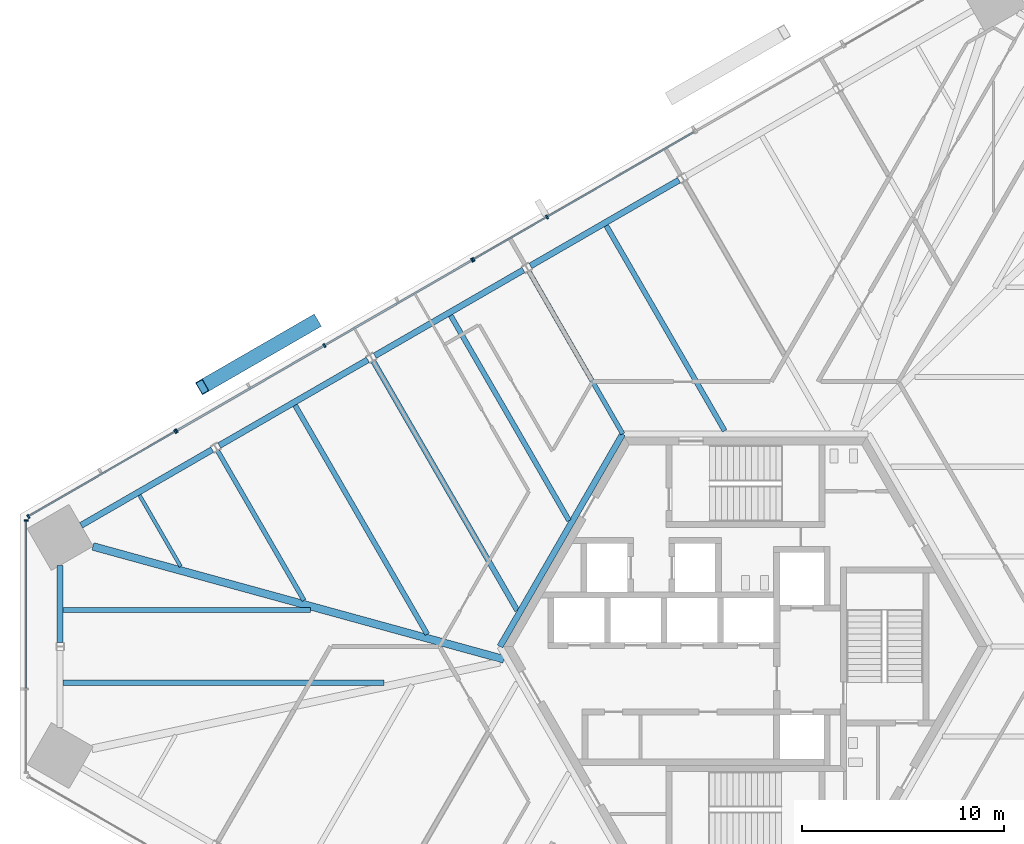
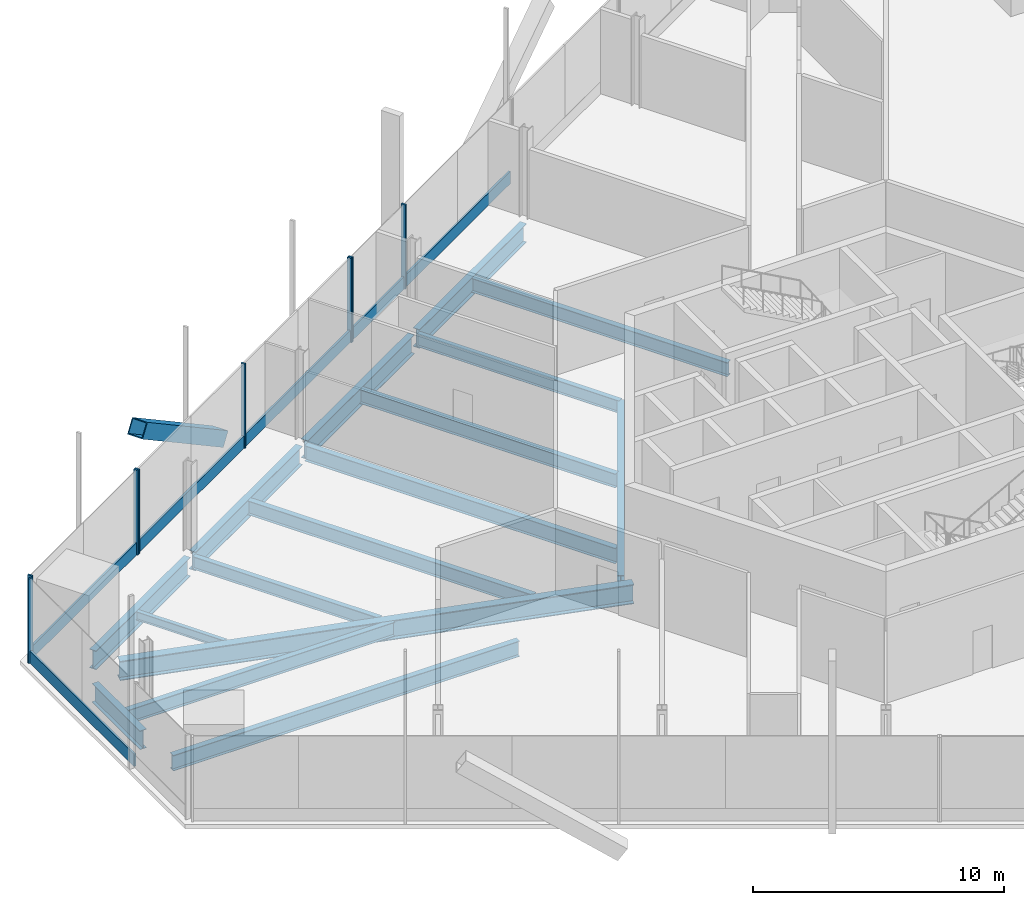
# One storey, part 6 of 19: 16 beams, 15 members, 4 elements without a shape of their own.
"""IFC4 building model written with IfcOpenShell, lengths in metres."""

import ifcopenshell
import ifcopenshell.guid

model = None  # the IFC model being written
_history = None  # IfcOwnerHistory: only IFC2X3 demands one
_inside = {}  # id of a spatial element -> (the spatial element, [elements in it])
_under = {}  # id of a project, library or spatial element -> (it, [spatial elements below it])
_declared = {}  # id of a project -> (the project, [libraries it declares])
_typed = {}  # id of a type object -> (the type object, [elements of that type])
_made_of = {}  # id of a material, layer set ... -> (it, [elements and type objects made of it])


def new_model(schema):
    """Start an empty IFC model of exactly this schema.

    Asked for "IFC4X3", IfcOpenShell would pick the latest addendum, in which some entities
    have other attributes; the version numbers below select the first issue.
    IFC2X3 requires an IfcOwnerHistory on every rooted entity: one is made here for all.
    """
    global model, _history
    if schema == "IFC4X3":
        model = ifcopenshell.file(schema_version=(4, 3, 0, 0))
    else:
        model = ifcopenshell.file(schema=schema)
    _inside.clear()
    _under.clear()
    _declared.clear()
    _typed.clear()
    _made_of.clear()
    _history = None
    if model.schema == "IFC2X3":
        org = make("IfcOrganization", Name="unknown")
        user = make(
            "IfcPersonAndOrganization",
            ThePerson=make("IfcPerson", FamilyName="unknown"),
            TheOrganization=org,
        )
        app = make(
            "IfcApplication",
            ApplicationDeveloper=org,
            Version="unknown",
            ApplicationFullName="unknown",
            ApplicationIdentifier="unknown",
        )
        _history = make(
            "IfcOwnerHistory",
            OwningUser=user,
            OwningApplication=app,
            ChangeAction="ADDED",
            CreationDate=0,
        )
    return model


def make(cls, **values):
    """One entity of the class cls with the attributes given. An attribute that is None is left unset."""
    return model.create_entity(
        cls, **{name: value for name, value in values.items() if value is not None}
    )


def rooted(cls, **values):
    """An entity with a GlobalId (a new one), such as an element, a storey or a relation."""
    return make(cls, GlobalId=ifcopenshell.guid.new(), OwnerHistory=_history, **values)


def si_unit(unit_type, name, prefix=None):
    """IfcSIUnit, for example si_unit("LENGTHUNIT", "METRE", prefix="MILLI")."""
    return make("IfcSIUnit", UnitType=unit_type, Prefix=prefix, Name=name)


def assignment(units):
    """IfcUnitAssignment: the units of a project."""
    return None if units is None else make("IfcUnitAssignment", Units=units)


def point(xyz):
    """IfcCartesianPoint."""
    return None if xyz is None else make("IfcCartesianPoint", Coordinates=xyz)


def direction(xyz):
    """IfcDirection."""
    return None if xyz is None else make("IfcDirection", DirectionRatios=xyz)


def frame(location, z_axis=None, x_axis=None):
    """IfcAxis2Placement3D, a coordinate frame: its origin and axes. An axis left out is left unset."""
    return make(
        "IfcAxis2Placement3D",
        Location=point(location),
        Axis=direction(z_axis),
        RefDirection=direction(x_axis),
    )


def frame_2d(location, x_axis=None):
    """IfcAxis2Placement2D, a coordinate frame in the plane: its origin and x axis."""
    return make(
        "IfcAxis2Placement2D", Location=point(location), RefDirection=direction(x_axis)
    )


def origin():
    """The frame at (0, 0, 0) with its axes left unset."""
    return frame((0.0, 0.0, 0.0))


def origin_2d():
    """The frame at (0, 0) in the plane with its x axis left unset."""
    return frame_2d((0.0, 0.0))


def place(relative_to, where):
    """IfcLocalPlacement: puts the frame where relative to a parent placement (None: the world)."""
    return make(
        "IfcLocalPlacement", PlacementRelTo=relative_to, RelativePlacement=where
    )


def context(
    kind, dimensions, precision=None, world=None, true_north=None, identifier=None
):
    """IfcGeometricRepresentationContext, for example the 3D "Model" context."""
    return make(
        "IfcGeometricRepresentationContext",
        ContextIdentifier=identifier,
        ContextType=kind,
        CoordinateSpaceDimension=dimensions,
        Precision=precision,
        WorldCoordinateSystem=world,
        TrueNorth=true_north,
    )


def subcontext(parent, identifier, kind, view, scale=None):
    """IfcGeometricRepresentationSubContext, for example "Body" below "Model"."""
    return make(
        "IfcGeometricRepresentationSubContext",
        ContextIdentifier=identifier,
        ContextType=kind,
        ParentContext=parent,
        TargetScale=scale,
        TargetView=view,
    )


def project(units=None, contexts=None):
    """IfcProject with its units and contexts."""
    return rooted(
        "IfcProject",
        Name="project",
        RepresentationContexts=contexts,
        UnitsInContext=assignment(units),
    )


def spatial(cls, under=None, at=None, **own):
    """A site, building, storey or space (cls), placed at a placement, below another one or the project."""
    s = rooted(cls, ObjectPlacement=at, **own)
    if under is not None:
        _under.setdefault(under.id(), (under, []))[1].append(s)
    return s


def profile(cls, at=None, kind="AREA", **sizes):
    """A parametric profile (cls). Its sizes go by their IFC names, for example OverallWidth=200.0."""
    return make(cls, ProfileType=kind, Position=at, **sizes)


def rectangle(**sizes):
    """IfcRectangleProfileDef."""
    return profile("IfcRectangleProfileDef", **sizes)


def hollow_rectangle(**sizes):
    """IfcRectangleHollowProfileDef."""
    return profile("IfcRectangleHollowProfileDef", **sizes)


def i_section(**sizes):
    """IfcIShapeProfileDef."""
    return profile("IfcIShapeProfileDef", **sizes)


def extrude(swept, where, along, depth):
    """IfcExtrudedAreaSolid: the profile swept, set in the frame where, extruded along a direction by depth."""
    return make(
        "IfcExtrudedAreaSolid",
        SweptArea=swept,
        Position=where,
        ExtrudedDirection=direction(along),
        Depth=depth,
    )


def shape(context_of_items, identifier, shape_type, items):
    """IfcShapeRepresentation: the items that make up one representation, for example the "Body"."""
    return make(
        "IfcShapeRepresentation",
        ContextOfItems=context_of_items,
        RepresentationIdentifier=identifier,
        RepresentationType=shape_type,
        Items=items,
    )


def source(mapping_origin, context_of_items, identifier, shape_type, items):
    """IfcRepresentationMap: a shape defined once, which mapped items show again and again."""
    return make(
        "IfcRepresentationMap",
        MappingOrigin=mapping_origin,
        MappedRepresentation=shape(context_of_items, identifier, shape_type, items),
    )


def transform(
    local_origin,
    x_axis=None,
    y_axis=None,
    z_axis=None,
    scale=None,
    scale2=None,
    scale3=None,
    uniform=True,
):
    """IfcCartesianTransformationOperator3D, or its non-uniform kind. x_axis, y_axis, z_axis: its Axis1, 2, 3."""
    if uniform:
        return make(
            "IfcCartesianTransformationOperator3D",
            Axis1=direction(x_axis),
            Axis2=direction(y_axis),
            LocalOrigin=point(local_origin),
            Scale=scale,
            Axis3=direction(z_axis),
        )
    return make(
        "IfcCartesianTransformationOperator3DnonUniform",
        Axis1=direction(x_axis),
        Axis2=direction(y_axis),
        LocalOrigin=point(local_origin),
        Scale=scale,
        Axis3=direction(z_axis),
        Scale2=scale2,
        Scale3=scale3,
    )


def mapped(mapping_source, mapping_target):
    """IfcMappedItem: shows the shape of a source again, moved by a transform."""
    return make(
        "IfcMappedItem", MappingSource=mapping_source, MappingTarget=mapping_target
    )


def material(Name=None, Category=None):
    """IfcMaterial."""
    return make("IfcMaterial", Name=Name, Category=Category)


def material_profile(
    of_material, cross_section, Name=None, Category=None, Priority=None
):
    """IfcMaterialProfile: a cross section and its material."""
    return make(
        "IfcMaterialProfile",
        Name=Name,
        Material=of_material,
        Profile=cross_section,
        Priority=Priority,
        Category=Category,
    )


def profile_set(profiles, Name=None, composite=None):
    """IfcMaterialProfileSet."""
    return make(
        "IfcMaterialProfileSet",
        Name=Name,
        MaterialProfiles=profiles,
        CompositeProfile=composite,
    )


def made_of(thing, what):
    """Note that an element or type object is made of a material, layer set ...; save() writes the relation."""
    if what is not None:
        _made_of.setdefault(what.id(), (what, []))[1].append(thing)
    return thing


def type_object(cls, material=None, **own):
    """A type object (cls), such as IfcWallType, which elements share."""
    return made_of(rooted(cls, **own), material)


def element(
    cls,
    number,
    at=None,
    inside=None,
    cuts=None,
    type_object=None,
    material=None,
    context=None,
    identifier="Body",
    shape_type=None,
    held_by="IfcProductDefinitionShape",
    body=None,
    shapes=None,
    **own,
):
    """One element of the class cls, such as IfcWall. Its Tag is "e" and its number.

    at: its placement. inside: the storey or other place that contains it. cuts: it is an
    opening in that element (IfcRelVoidsElement). A single representation is given by context,
    identifier, shape_type and body (its items); several are given by shapes. held_by: the class
    of the entity that holds the representations. save() writes the other relations.
    """
    e = rooted(cls, Tag="e%d" % number, ObjectPlacement=at, **own)
    if body is not None:
        shapes = [shape(context, identifier, shape_type, body)]
    if shapes is not None:
        e.Representation = make(held_by, Representations=shapes)
    if inside is not None:
        _inside.setdefault(inside.id(), (inside, []))[1].append(e)
    if cuts is not None:
        rooted(
            "IfcRelVoidsElement", RelatingBuildingElement=cuts, RelatedOpeningElement=e
        )
    if type_object is not None:
        _typed.setdefault(type_object.id(), (type_object, []))[1].append(e)
    return made_of(e, material)


def aggregate(whole, parts):
    """IfcRelAggregates: a whole, such as a stair, and the parts it consists of."""
    return rooted("IfcRelAggregates", RelatingObject=whole, RelatedObjects=parts)


def save(model, path):
    """Write the relations noted so far, then the file.

    IfcRelAggregates (storeys below a building ...), IfcRelContainedInSpatialStructure (elements
    in a storey), IfcRelDefinesByType, IfcRelAssociatesMaterial and IfcRelDeclares: one each for
    every whole, place, type object, material and project.
    """
    for whole, parts in _under.values():
        aggregate(whole, parts)
    for where, things in _inside.values():
        rooted(
            "IfcRelContainedInSpatialStructure",
            RelatedElements=things,
            RelatingStructure=where,
        )
    for kind, things in _typed.values():
        rooted("IfcRelDefinesByType", RelatedObjects=things, RelatingType=kind)
    for what, things in _made_of.values():
        rooted("IfcRelAssociatesMaterial", RelatedObjects=things, RelatingMaterial=what)
    for by, libraries in _declared.values():
        rooted("IfcRelDeclares", RelatingContext=by, RelatedDefinitions=libraries)
    model.write(path)


model = new_model("IFC4")

# Units and contexts
model_context = context("Model", 3, precision=1e-05, world=origin(), true_north=direction((0.0, 1.0)))
body_context = subcontext(model_context, "Body", "Model", "MODEL_VIEW")
ifc_project = project(units=[si_unit("LENGTHUNIT", "METRE"), si_unit("AREAUNIT", "SQUARE_METRE"), si_unit("VOLUMEUNIT", "CUBIC_METRE"), si_unit("PLANEANGLEUNIT", "RADIAN"), si_unit("MASSUNIT", "GRAM", prefix="KILO")], contexts=[model_context])

# Site, building, storey
site_placement = place(None, origin())
site = spatial("IfcSite", under=ifc_project, at=site_placement, CompositionType="ELEMENT")
building_placement = place(site_placement, origin())
building = spatial("IfcBuilding", under=site, at=building_placement, Name="Triune Harvest Tower", CompositionType="ELEMENT")
storey_placement = place(building_placement, frame((0.0, 0.0, 41.800048828125)))
storey = spatial("IfcBuildingStorey", under=building, at=storey_placement, Name="L09", CompositionType="ELEMENT", Elevation=41.800048828125)

# Beams
ifc_material_1 = material(Name="Steel ASTM A992 Gr 50", Category="steel")
ifc_material_profile_1 = material_profile(ifc_material_1, i_section(OverallWidth=0.3046875, OverallDepth=0.914306640625, WebThickness=0.0166015625, FlangeThickness=0.02587890625, at=origin_2d()), Name="W36x160")
ifc_profile_set_1 = profile_set([ifc_material_profile_1], Name="Steel ASTM A992 Gr 50")
beam_type_1 = type_object("IfcBeamType", Name="CG-1 Core ring girder W36x160", PredefinedType="BEAM", material=ifc_profile_set_1)
shared_shape_1 = source(origin(), body_context, "Body", "SweptSolid", [
    extrude(i_section(OverallWidth=0.3046875, OverallDepth=0.914306640625, WebThickness=0.0166015625, FlangeThickness=0.02587890625, at=origin_2d()), origin(), (0.0, 0.0, 1.0), 12.176025390625),
])
beam_1_placement = place(storey_placement, frame((-6.087890625, 10.544677734375, -0.6572265625), z_axis=(-0.5000099932, -0.866019634131, 0.0), x_axis=(0.866019634131, -0.5000099932, 0.0)))
element("IfcBeam", 1, at=beam_1_placement, inside=storey, type_object=beam_type_1, Name="beam/L09/CG3", PredefinedType="BEAM", context=body_context, shape_type="MappedRepresentation", body=[
    mapped(shared_shape_1, transform((0.0, 0.0, 0.0), scale=1.0)),
])
ifc_material_2 = material(Name="Steel ASTM A992 Gr 50", Category="steel")
ifc_material_profile_2 = material_profile(ifc_material_2, i_section(OverallWidth=0.383544921875, OverallDepth=0.9423828125, WebThickness=0.022216796875, FlangeThickness=0.039794921875, at=origin_2d()), Name="W36x232")
ifc_profile_set_2 = profile_set([ifc_material_profile_2], Name="Steel ASTM A992 Gr 50")
beam_type_2 = type_object("IfcBeamType", Name="HG-1 Hip girder W36x232", PredefinedType="BEAM", material=ifc_profile_set_2)
shared_shape_2 = source(origin(), body_context, "Body", "SweptSolid", [
    extrude(i_section(OverallWidth=0.383544921875, OverallDepth=0.9423828125, WebThickness=0.022216796875, FlangeThickness=0.039794921875, at=origin_2d()), origin(), (0.0, 0.0, 1.0), 21.13232421875),
])
beam_2_placement = place(storey_placement, frame((-32.3623046875, 4.963134765625, -0.671142578125), z_axis=(0.964269976316, -0.264921521918, 0.0), x_axis=(0.264921521918, 0.964269976316, 0.0)))
element("IfcBeam", 2, at=beam_2_placement, inside=storey, type_object=beam_type_2, Name="beam/L09/HG4", PredefinedType="BEAM", context=body_context, shape_type="MappedRepresentation", body=[
    mapped(shared_shape_2, transform((0.0, 0.0, 0.0), scale=1.0)),
])
ifc_material_3 = material(Name="Steel ASTM A992 Gr 50", Category="steel")
ifc_material_profile_3 = material_profile(ifc_material_3, i_section(OverallWidth=0.2666015625, OverallDepth=0.7568359375, WebThickness=0.013916015625, FlangeThickness=0.019287109375, at=origin_2d()), Name="W30x108")
ifc_profile_set_3 = profile_set([ifc_material_profile_3], Name="Steel ASTM A992 Gr 50")
beam_type_3 = type_object("IfcBeamType", Name="JT-5 Floor joist W30x108", PredefinedType="JOIST", material=ifc_profile_set_3)
shared_shape_3 = source(origin(), body_context, "Body", "SweptSolid", [
    extrude(i_section(OverallWidth=0.2666015625, OverallDepth=0.7568359375, WebThickness=0.013916015625, FlangeThickness=0.019287109375, at=origin_2d()), origin(), (0.0, 0.0, 1.0), 14.2685546875),
])
beam_3_placement = place(storey_placement, frame((-18.454345703125, 14.14404296875, -0.57861328125), z_axis=(0.499987083308, -0.866032861112, 0.0), x_axis=(0.866032861112, 0.499987083308, 0.0)))
element("IfcBeam", 3, at=beam_3_placement, inside=storey, type_object=beam_type_3, Name="beam/L09/JT21", PredefinedType="JOIST", context=body_context, shape_type="MappedRepresentation", body=[
    mapped(shared_shape_3, transform((0.0, 0.0, 0.0), scale=1.0)),
])
ifc_material_4 = material(Name="Steel ASTM A992 Gr 50", Category="steel")
ifc_material_profile_4 = material_profile(ifc_material_4, i_section(OverallWidth=0.22900390625, OverallDepth=0.612060546875, WebThickness=0.011962890625, FlangeThickness=0.01953125, at=origin_2d()), Name="W24x84")
ifc_profile_set_4 = profile_set([ifc_material_profile_4], Name="Steel ASTM A992 Gr 50")
beam_type_4 = type_object("IfcBeamType", Name="JT-3 Floor joist W24x84", PredefinedType="JOIST", material=ifc_profile_set_4)
shared_shape_4 = source(origin(), body_context, "Body", "SweptSolid", [
    extrude(i_section(OverallWidth=0.22900390625, OverallDepth=0.612060546875, WebThickness=0.011962890625, FlangeThickness=0.01953125, at=origin_2d()), origin(), (0.0, 0.0, 1.0), 8.54736328125),
])
beam_4_placement = place(storey_placement, frame((-26.170654296875, 9.68896484375, -0.506103515625), z_axis=(0.500006795031, -0.866021480636, 0.0), x_axis=(0.866021480636, 0.500006795031, 0.0)))
element("IfcBeam", 4, at=beam_4_placement, inside=storey, type_object=beam_type_4, Name="beam/L09/JT23", PredefinedType="JOIST", context=body_context, shape_type="MappedRepresentation", body=[
    mapped(shared_shape_4, transform((0.0, 0.0, 0.0), scale=1.0)),
])
shared_shape_5 = source(origin(), body_context, "Body", "SweptSolid", [
    extrude(i_section(OverallWidth=0.22900390625, OverallDepth=0.612060546875, WebThickness=0.011962890625, FlangeThickness=0.01953125, at=origin_2d()), origin(), (0.0, 0.0, 1.0), 9.300537109375),
])
beam_5_placement = place(storey_placement, frame((-10.738037109375, 18.59912109375, -0.506103515625), z_axis=(0.49999285859, -0.86602952684, 0.0), x_axis=(0.86602952684, 0.49999285859, 0.0)))
element("IfcBeam", 5, at=beam_5_placement, inside=storey, type_object=beam_type_4, Name="beam/L09/JT19", PredefinedType="JOIST", context=body_context, shape_type="MappedRepresentation", body=[
    mapped(shared_shape_5, transform((0.0, 0.0, 0.0), scale=1.0)),
])
ifc_material_5 = material(Name="Steel ASTM A992 Gr 50", Category="steel")
ifc_material_profile_5 = material_profile(ifc_material_5, i_section(OverallWidth=0.3046875, OverallDepth=0.914306640625, WebThickness=0.0166015625, FlangeThickness=0.02587890625, at=origin_2d()), Name="W36x160")
ifc_profile_set_5 = profile_set([ifc_material_profile_5], Name="Steel ASTM A992 Gr 50")
beam_type_5 = type_object("IfcBeamType", Name="SB-1 Spandrel beam W36x160", PredefinedType="SPANDREL", material=ifc_profile_set_5)
shared_shape_6 = source(origin(), body_context, "Body", "SweptSolid", [
    extrude(i_section(OverallWidth=0.3046875, OverallDepth=0.914306640625, WebThickness=0.0166015625, FlangeThickness=0.02587890625, at=origin_2d()), origin(), (0.0, 0.0, 1.0), 7.508056640625),
])
beam_6_placement = place(storey_placement, frame((-26.447265625, 9.763916015625, -0.6572265625), z_axis=(-0.866033425553, -0.499986105632, 0.0), x_axis=(0.499986105632, -0.866033425553, 0.0)))
element("IfcBeam", 6, at=beam_6_placement, inside=storey, type_object=beam_type_5, Name="beam/L09/SB14", PredefinedType="SPANDREL", context=body_context, shape_type="MappedRepresentation", body=[
    mapped(shared_shape_6, transform((0.0, 0.0, 0.0), scale=1.0)),
])
shared_shape_7 = source(origin(), body_context, "Body", "SweptSolid", [
    extrude(i_section(OverallWidth=0.3046875, OverallDepth=0.914306640625, WebThickness=0.0166015625, FlangeThickness=0.02587890625, at=origin_2d()), origin(), (0.0, 0.0, 1.0), 8.506103515625),
])
for number, where, z_axis, x_axis, name in (
    (7, (-3.29833984375, 23.12890625, -0.6572265625), (-0.866030246746, -0.49999161165, 0.0), (0.49999161165, -0.866030246746, 0.0), "beam/L09/SB11"),
    (8, (-11.0146484375, 18.674072265625, -0.6572265625), (-0.866017818397, -0.500013138047, 0.0), (0.500013138047, -0.866017818397, 0.0), "beam/L09/SB12"),
    (9, (-18.73095703125, 14.218994140625, -0.6572265625), (-0.866030246746, -0.49999161165, 0.0), (0.49999161165, -0.866030246746, 0.0), "beam/L09/SB13"),
):
    element("IfcBeam", number, at=place(storey_placement, frame(where, z_axis=z_axis, x_axis=x_axis)), inside=storey, type_object=beam_type_5, Name=name, PredefinedType="SPANDREL", context=body_context, shape_type="MappedRepresentation", body=[
        mapped(shared_shape_7, transform((0.0, 0.0, 0.0), scale=1.0)),
    ])
shared_shape_8 = source(origin(), body_context, "Body", "SweptSolid", [
    extrude(i_section(OverallWidth=0.3046875, OverallDepth=0.914306640625, WebThickness=0.0166015625, FlangeThickness=0.02587890625, at=origin_2d()), origin(), (0.0, 0.0, 1.0), 3.822509765625),
])
beam_7_placement = place(storey_placement, frame((-33.988525390625, 4.0244140625, -0.6572265625), z_axis=(0.0, -1.0, 0.0), x_axis=(1.0, 0.0, 0.0)))
element("IfcBeam", 10, at=beam_7_placement, inside=storey, type_object=beam_type_5, Name="beam/L09/SB15", PredefinedType="SPANDREL", context=body_context, shape_type="MappedRepresentation", body=[
    mapped(shared_shape_8, transform((0.0, 0.0, 0.0), scale=1.0)),
])
ifc_material_6 = material(Name="Steel ASTM A992 Gr 50", Category="steel")
ifc_material_profile_6 = material_profile(ifc_material_6, i_section(OverallWidth=0.180908203125, OverallDepth=0.41650390625, WebThickness=0.010986328125, FlangeThickness=0.01806640625, at=origin_2d()), Name="W16x57")
ifc_profile_set_6 = profile_set([ifc_material_profile_6], Name="Steel ASTM A992 Gr 50")
beam_type_6 = type_object("IfcBeamType", Name="JT-1 Floor joist W16x57", PredefinedType="JOIST", material=ifc_profile_set_6)
shared_shape_9 = source(origin(), body_context, "Body", "SweptSolid", [
    extrude(i_section(OverallWidth=0.180908203125, OverallDepth=0.41650390625, WebThickness=0.010986328125, FlangeThickness=0.01806640625, at=origin_2d()), origin(), (0.0, 0.0, 1.0), 4.08642578125),
])
beam_8_placement = place(storey_placement, frame((-30.05419921875, 7.505615234375, -0.408447265625), z_axis=(0.49998792433, -0.866032375563, 0.0), x_axis=(0.866032375563, 0.49998792433, 0.0)))
element("IfcBeam", 11, at=beam_8_placement, inside=storey, type_object=beam_type_6, Name="beam/L09/JT24", PredefinedType="JOIST", context=body_context, shape_type="MappedRepresentation", body=[
    mapped(shared_shape_9, transform((0.0, 0.0, 0.0), scale=1.0)),
])
ifc_material_7 = material(Name="Steel ASTM A992 Gr 50", Category="steel")
ifc_material_profile_7 = material_profile(ifc_material_7, i_section(OverallWidth=0.253662109375, OverallDepth=0.683349609375, WebThickness=0.012451171875, FlangeThickness=0.01904296875, at=origin_2d()), Name="W27x94")
ifc_profile_set_7 = profile_set([ifc_material_profile_7], Name="Steel ASTM A992 Gr 50")
beam_type_7 = type_object("IfcBeamType", Name="JT-4 Floor joist W27x94", PredefinedType="JOIST", material=ifc_profile_set_7)
shared_shape_10 = source(origin(), body_context, "Body", "SweptSolid", [
    extrude(i_section(OverallWidth=0.253662109375, OverallDepth=0.683349609375, WebThickness=0.012451171875, FlangeThickness=0.01904296875, at=origin_2d()), origin(), (0.0, 0.0, 1.0), 12.2509765625),
])
beam_9_placement = place(storey_placement, frame((-33.836181640625, 1.80322265625, -0.541748046875), z_axis=(1.0, 0.0, 0.0), x_axis=(0.0, 1.0, 0.0)))
element("IfcBeam", 12, at=beam_9_placement, inside=storey, type_object=beam_type_7, Name="beam/L09/JT25", PredefinedType="JOIST", context=body_context, shape_type="MappedRepresentation", body=[
    mapped(shared_shape_10, transform((0.0, 0.0, 0.0), scale=1.0)),
])
shared_shape_11 = source(origin(), body_context, "Body", "SweptSolid", [
    extrude(i_section(OverallWidth=0.2666015625, OverallDepth=0.7568359375, WebThickness=0.013916015625, FlangeThickness=0.019287109375, at=origin_2d()), origin(), (0.0, 0.0, 1.0), 15.90771484375),
])
beam_10_placement = place(storey_placement, frame((-33.836181640625, -1.80322265625, -0.57861328125), z_axis=(1.0, 0.0, 0.0), x_axis=(0.0, 1.0, 0.0)))
element("IfcBeam", 13, at=beam_10_placement, inside=storey, type_object=beam_type_3, Name="beam/L09/JT26", PredefinedType="JOIST", context=body_context, shape_type="MappedRepresentation", body=[
    mapped(shared_shape_11, transform((0.0, 0.0, 0.0), scale=1.0)),
])
shared_shape_12 = source(origin(), body_context, "Body", "SweptSolid", [
    extrude(i_section(OverallWidth=0.253662109375, OverallDepth=0.683349609375, WebThickness=0.012451171875, FlangeThickness=0.01904296875, at=origin_2d()), origin(), (0.0, 0.0, 1.0), 11.74755859375),
])
beam_11_placement = place(storey_placement, frame((-6.905517578125, 20.87060546875, -0.541748046875), z_axis=(0.500003693016, -0.86602327161, 0.0), x_axis=(0.86602327161, 0.500003693016, 0.0)))
element("IfcBeam", 14, at=beam_11_placement, inside=storey, type_object=beam_type_7, Name="beam/L09/JT18", PredefinedType="JOIST", context=body_context, shape_type="MappedRepresentation", body=[
    mapped(shared_shape_12, transform((0.0, 0.0, 0.0), scale=1.0)),
])
shared_shape_13 = source(origin(), body_context, "Body", "SweptSolid", [
    extrude(i_section(OverallWidth=0.253662109375, OverallDepth=0.683349609375, WebThickness=0.012451171875, FlangeThickness=0.01904296875, at=origin_2d()), origin(), (0.0, 0.0, 1.0), 11.7470703125),
])
beam_12_placement = place(storey_placement, frame((-14.62158203125, 16.41552734375, -0.541748046875), z_axis=(0.49999710518, -0.866027075103, 0.0), x_axis=(0.866027075103, 0.49999710518, 0.0)))
element("IfcBeam", 15, at=beam_12_placement, inside=storey, type_object=beam_type_7, Name="beam/L09/JT20", PredefinedType="JOIST", context=body_context, shape_type="MappedRepresentation", body=[
    mapped(shared_shape_13, transform((0.0, 0.0, 0.0), scale=1.0)),
])
shared_shape_14 = source(origin(), body_context, "Body", "SweptSolid", [
    extrude(i_section(OverallWidth=0.253662109375, OverallDepth=0.683349609375, WebThickness=0.012451171875, FlangeThickness=0.01904296875, at=origin_2d()), origin(), (0.0, 0.0, 1.0), 13.10986328125),
])
beam_13_placement = place(storey_placement, frame((-22.337890625, 11.96044921875, -0.541748046875), z_axis=(0.499998646344, -0.866026185317, 0.0), x_axis=(0.866026185317, 0.499998646344, 0.0)))
element("IfcBeam", 16, at=beam_13_placement, inside=storey, type_object=beam_type_7, Name="beam/L09/JT22", PredefinedType="JOIST", context=body_context, shape_type="MappedRepresentation", body=[
    mapped(shared_shape_14, transform((0.0, 0.0, 0.0), scale=1.0)),
])

# Member
ifc_material_8 = material(Name="Steel ASTM A572 Gr 50", Category="steel")
ifc_material_profile_8 = material_profile(ifc_material_8, hollow_rectangle(XDim=0.699951171875, YDim=0.699951171875, WallThickness=0.0400390625, at=origin_2d()), Name="Box 700x700x40")
ifc_profile_set_8 = profile_set([ifc_material_profile_8], Name="Steel ASTM A572 Gr 50")
member_type_1 = type_object("IfcMemberType", Name="BR-1 Brace Box 700x700x40", PredefinedType="BRACE", material=ifc_profile_set_8)
shared_shape_15 = source(origin(), body_context, "Body", "SweptSolid", [
    extrude(hollow_rectangle(XDim=0.699951171875, YDim=0.699951171875, WallThickness=0.0400390625, at=origin_2d()), origin(), (0.0, 0.0, 1.0), 7.728515625),
])
member_1_placement = place(storey_placement, frame((-21.379638671875, 16.0869140625, 0.0), z_axis=(-0.719604017031, -0.415462336786, 0.556382157681), x_axis=(0.499998884236, -0.86602604797, 0.0)))
element("IfcMember", 17, at=member_1_placement, inside=storey, type_object=member_type_1, Name="brace/B1-F3/d1/7", PredefinedType="BRACE", context=body_context, shape_type="MappedRepresentation", body=[
    mapped(shared_shape_15, transform((0.0, 0.0, 0.0), scale=1.0)),
])

# Curtain wall, member
ifc_material_9 = material(Name="Aluminium bronze anodised", Category="aluminium")
curtain_wall_type_1 = type_object("IfcCurtainWallType", Name="CW-3 Farm floor curtain wall", PredefinedType="NOTDEFINED", material=ifc_material_9)
curtain_wall_1_placement = place(storey_placement, origin())
curtain_wall_1 = element("IfcCurtainWall", 18, at=curtain_wall_1_placement, inside=storey, type_object=curtain_wall_type_1, Name="CW-3 B1-F4 L09 run 1")
ifc_material_10 = material(Name="Aluminium bronze anodised", Category="aluminium")
ifc_material_profile_9 = material_profile(ifc_material_10, rectangle(XDim=0.090087890625, YDim=0.60009765625, at=origin_2d()), Name="TR-3 transom 90 x 600")
ifc_profile_set_9 = profile_set([ifc_material_profile_9], Name="Aluminium bronze anodised")
member_type_2 = type_object("IfcMemberType", Name="TR-3 transom 90 x 600", PredefinedType="USERDEFINED", material=ifc_profile_set_9)
shared_shape_16 = source(origin(), body_context, "Body", "SweptSolid", [
    extrude(rectangle(XDim=0.090087890625, YDim=0.60009765625, at=origin_2d()), origin(), (0.0, 0.0, 1.0), 8.275634765625),
])
member_2_placement = place(storey_placement, frame((-35.680419921875, 6.216796875, 0.300048828125), z_axis=(0.0, -1.0, 0.0), x_axis=(1.0, 0.0, 0.0)))
member_2 = element("IfcMember", 19, at=member_2_placement, type_object=member_type_2, Name="CW-3 transom B1-F4 1.1", ObjectType="TRANSOM", PredefinedType="USERDEFINED", context=body_context, shape_type="MappedRepresentation", body=[
    mapped(shared_shape_16, transform((0.0, 0.0, 0.0), scale=1.0)),
])

# Curtain wall, members
curtain_wall_2_placement = place(storey_placement, origin())
curtain_wall_2 = element("IfcCurtainWall", 20, at=curtain_wall_2_placement, inside=storey, type_object=curtain_wall_type_1, Name="CW-3 B1-F3 L09 run 2001")
ifc_material_11 = material(Name="Aluminium bronze anodised", Category="aluminium")
ifc_material_profile_10 = material_profile(ifc_material_11, rectangle(XDim=0.199951171875, YDim=0.080078125, at=origin_2d()), Name="MU-3 mullion 80 x 200")
ifc_profile_set_10 = profile_set([ifc_material_profile_10], Name="Aluminium bronze anodised")
member_type_3 = type_object("IfcMemberType", Name="MU-3 mullion 80 x 200", PredefinedType="MULLION", material=ifc_profile_set_10)
shared_shape_17 = source(origin(), body_context, "Body", "SweptSolid", [
    extrude(rectangle(XDim=0.199951171875, YDim=0.080078125, at=origin_2d()), origin(), (0.0, 0.0, 1.0), 4.099853515625),
])
member_3_placement = place(storey_placement, frame((-9.845947265625, 21.30224609375, 0.0), z_axis=(0.0, 0.0, 1.0), x_axis=(0.499997723952, -0.866026717857, 0.0)))
member_3 = element("IfcMember", 21, at=member_3_placement, type_object=member_type_3, Name="CW-3 mullion B1-F3 2001.3", PredefinedType="MULLION", context=body_context, shape_type="MappedRepresentation", body=[
    mapped(shared_shape_17, transform((0.0, 0.0, 0.0), scale=1.0)),
])
member_4_placement = place(storey_placement, frame((-13.490966796875, 19.197998046875, 0.0), z_axis=(0.0, 0.0, 1.0), x_axis=(0.499997723952, -0.866026717857, 0.0)))
member_4 = element("IfcMember", 22, at=member_4_placement, type_object=member_type_3, Name="CW-3 mullion B1-F3 2001.4", PredefinedType="MULLION", context=body_context, shape_type="MappedRepresentation", body=[
    mapped(shared_shape_17, transform((0.0, 0.0, 0.0), scale=1.0)),
])

ifc_material_12 = material(Name="Aluminium bronze anodised", Category="aluminium")
curtain_wall_type_2 = type_object("IfcCurtainWallType", Name="CW-8 Farm floor curtain wall with insulated spandrel infill", PredefinedType="NOTDEFINED", material=ifc_material_12)
curtain_wall_3_placement = place(storey_placement, origin())
curtain_wall_3 = element("IfcCurtainWall", 23, at=curtain_wall_3_placement, inside=storey, type_object=curtain_wall_type_2, Name="CW-8 B1-F3 L09 run 3001")
member_5_placement = place(storey_placement, frame((-13.56005859375, 19.157958984375, 0.0), z_axis=(0.0, 0.0, 1.0), x_axis=(0.500002592159, -0.866023907196, 0.0)))
member_5 = element("IfcMember", 24, at=member_5_placement, type_object=member_type_3, Name="CW-8 mullion B1-F3 3001.1", PredefinedType="MULLION", context=body_context, shape_type="MappedRepresentation", body=[
    mapped(shared_shape_17, transform((0.0, 0.0, 0.0), scale=1.0)),
])
member_6_placement = place(storey_placement, frame((-20.884521484375, 14.92919921875, 0.0), z_axis=(0.0, 0.0, 1.0), x_axis=(0.500002592159, -0.866023907196, 0.0)))
member_6 = element("IfcMember", 25, at=member_6_placement, type_object=member_type_3, Name="CW-8 mullion B1-F3 3001.3", PredefinedType="MULLION", context=body_context, shape_type="MappedRepresentation", body=[
    mapped(shared_shape_17, transform((0.0, 0.0, 0.0), scale=1.0)),
])
member_7_placement = place(storey_placement, frame((-28.208740234375, 10.700439453125, 0.0), z_axis=(0.0, 0.0, 1.0), x_axis=(0.500002592159, -0.866023907196, 0.0)))
member_7 = element("IfcMember", 26, at=member_7_placement, type_object=member_type_3, Name="CW-8 mullion B1-F3 3001.5", PredefinedType="MULLION", context=body_context, shape_type="MappedRepresentation", body=[
    mapped(shared_shape_17, transform((0.0, 0.0, 0.0), scale=1.0)),
])

curtain_wall_4_placement = place(storey_placement, origin())
curtain_wall_4 = element("IfcCurtainWall", 27, at=curtain_wall_4_placement, inside=storey, type_object=curtain_wall_type_1, Name="CW-3 B1-F3 L09 run 4001")
member_8_placement = place(storey_placement, frame((-28.278076171875, 10.660400390625, 0.0), z_axis=(0.0, 0.0, 1.0), x_axis=(0.499995239328, -0.866028152342, 0.0)))
member_8 = element("IfcMember", 28, at=member_8_placement, type_object=member_type_3, Name="CW-3 mullion B1-F3 4001.1", PredefinedType="MULLION", context=body_context, shape_type="MappedRepresentation", body=[
    mapped(shared_shape_17, transform((0.0, 0.0, 0.0), scale=1.0)),
])
member_9_placement = place(storey_placement, frame((-35.56787109375, 6.451904296875, 0.0), z_axis=(0.0, 0.0, 1.0), x_axis=(0.499995239328, -0.866028152342, 0.0)))
member_9 = element("IfcMember", 29, at=member_9_placement, type_object=member_type_3, Name="CW-3 mullion B1-F3 4001.3", PredefinedType="MULLION", context=body_context, shape_type="MappedRepresentation", body=[
    mapped(shared_shape_17, transform((0.0, 0.0, 0.0), scale=1.0)),
])

# Member
member_10_placement = place(storey_placement, frame((-35.680419921875, 6.2568359375, 0.0), z_axis=(0.0, 0.0, 1.0), x_axis=(1.0, 0.0, 0.0)))
member_10 = element("IfcMember", 30, at=member_10_placement, type_object=member_type_3, Name="CW-3 mullion B1-F4 1.1", PredefinedType="MULLION", context=body_context, shape_type="MappedRepresentation", body=[
    mapped(shared_shape_17, transform((0.0, 0.0, 0.0), scale=1.0)),
])

aggregate(curtain_wall_1, [member_10, member_2])

shared_shape_18 = source(origin(), body_context, "Body", "SweptSolid", [
    extrude(rectangle(XDim=0.090087890625, YDim=0.60009765625, at=origin_2d()), origin(), (0.0, 0.0, 1.0), 8.37744140625),
])
member_11_placement = place(storey_placement, frame((-2.55615234375, 25.510986328125, 0.300048828125), z_axis=(-0.866026892193, -0.499997421992, 0.0), x_axis=(0.499997421992, -0.866026892193, 0.0)))
member_11 = element("IfcMember", 31, at=member_11_placement, type_object=member_type_2, Name="CW-3 transom B1-F3 2001.1", ObjectType="TRANSOM", PredefinedType="USERDEFINED", context=body_context, shape_type="MappedRepresentation", body=[
    mapped(shared_shape_18, transform((0.0, 0.0, 0.0), scale=1.0)),
])

member_12_placement = place(storey_placement, frame((-13.5947265625, 19.137939453125, 0.300048828125), z_axis=(-0.866026892193, -0.499997421992, 0.0), x_axis=(0.499997421992, -0.866026892193, 0.0)))
member_12 = element("IfcMember", 32, at=member_12_placement, type_object=member_type_2, Name="CW-8 transom B1-F3 3001.1", ObjectType="TRANSOM", PredefinedType="USERDEFINED", context=body_context, shape_type="MappedRepresentation", body=[
    mapped(shared_shape_18, transform((0.0, 0.0, 0.0), scale=1.0)),
])

member_13_placement = place(storey_placement, frame((-20.919189453125, 14.9091796875, 0.300048828125), z_axis=(-0.866026892193, -0.499997421992, 0.0), x_axis=(0.499997421992, -0.866026892193, 0.0)))
member_13 = element("IfcMember", 33, at=member_13_placement, type_object=member_type_2, Name="CW-8 transom B1-F3 3001.2", ObjectType="TRANSOM", PredefinedType="USERDEFINED", context=body_context, shape_type="MappedRepresentation", body=[
    mapped(shared_shape_18, transform((0.0, 0.0, 0.0), scale=1.0)),
])

aggregate(curtain_wall_3, [member_5, member_6, member_7, member_12, member_13])

shared_shape_19 = source(origin(), body_context, "Body", "SweptSolid", [
    extrude(rectangle(XDim=0.090087890625, YDim=0.60009765625, at=origin_2d()), origin(), (0.0, 0.0, 1.0), 4.12890625),
])
member_14_placement = place(storey_placement, frame((-9.880615234375, 21.282470703125, 0.300048828125), z_axis=(-0.866022127522, -0.500005674609, 0.0), x_axis=(0.500005674609, -0.866022127522, 0.0)))
member_14 = element("IfcMember", 34, at=member_14_placement, type_object=member_type_2, Name="CW-3 transom B1-F3 2001.2", ObjectType="TRANSOM", PredefinedType="USERDEFINED", context=body_context, shape_type="MappedRepresentation", body=[
    mapped(shared_shape_19, transform((0.0, 0.0, 0.0), scale=1.0)),
])

aggregate(curtain_wall_2, [member_3, member_4, member_11, member_14])

shared_shape_20 = source(origin(), body_context, "Body", "SweptSolid", [
    extrude(rectangle(XDim=0.090087890625, YDim=0.60009765625, at=origin_2d()), origin(), (0.0, 0.0, 1.0), 8.33740234375),
])
member_15_placement = place(storey_placement, frame((-28.312744140625, 10.640380859375, 0.300048828125), z_axis=(-0.866027105532, -0.499997052475, 0.0), x_axis=(0.499997052475, -0.866027105532, 0.0)))
member_15 = element("IfcMember", 35, at=member_15_placement, type_object=member_type_2, Name="CW-3 transom B1-F3 4001.1", ObjectType="TRANSOM", PredefinedType="USERDEFINED", context=body_context, shape_type="MappedRepresentation", body=[
    mapped(shared_shape_20, transform((0.0, 0.0, 0.0), scale=1.0)),
])

aggregate(curtain_wall_4, [member_8, member_9, member_15])

save(model, "model.ifc")
